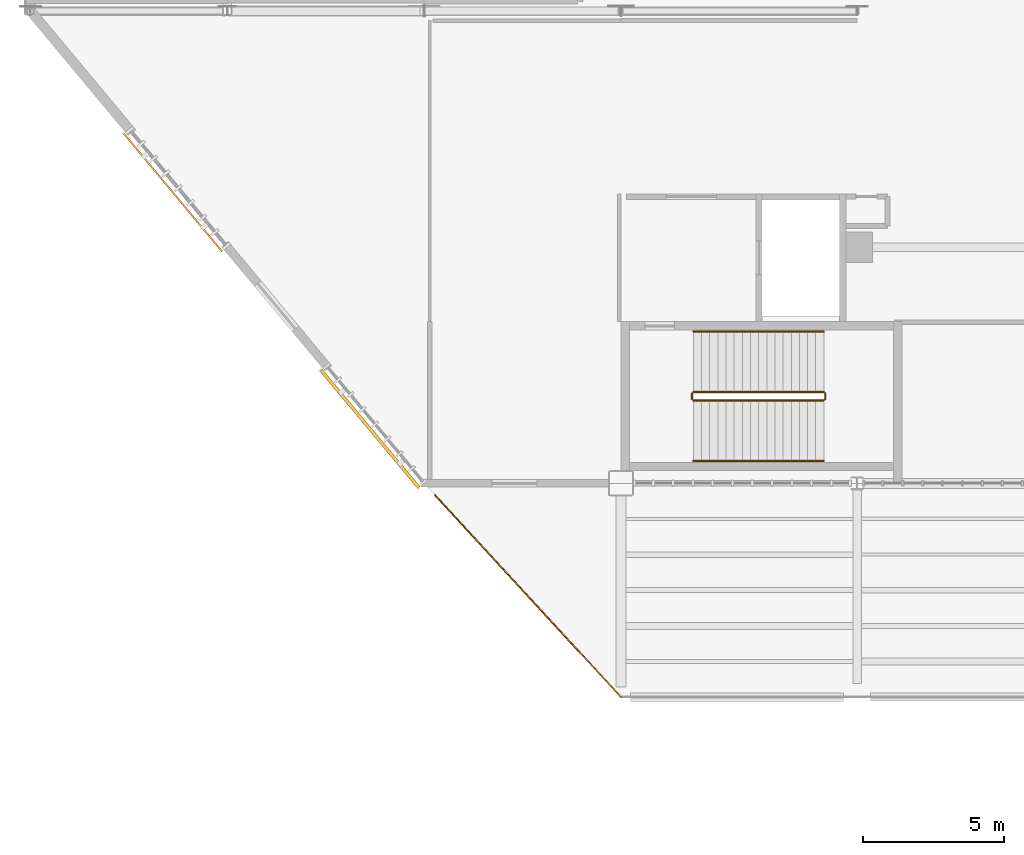
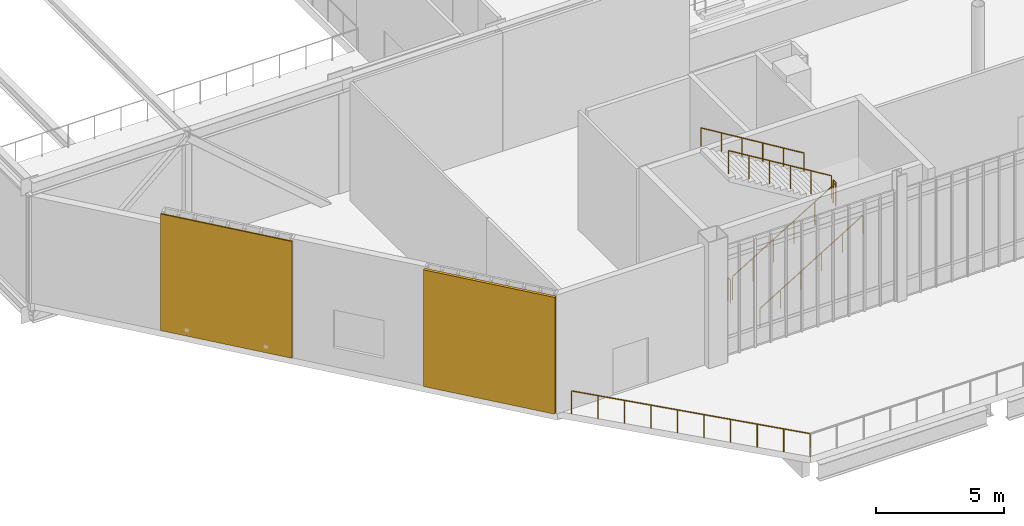
# One storey, part 121 of 135: 7 railings, 2 shading devices.
"""IFC4 building model written with IfcOpenShell, lengths in metres."""

from ifc_helpers import new_model, si_unit, direction, frame, origin, origin_2d, place, context, subcontext, project, spatial, rectangle, circle, extrude, material, layer, layer_set, type_object, element, save


model = new_model("IFC4")

# Units and contexts
model_context = context("Model", 3, precision=1e-05, world=origin(), true_north=direction((0.0, 1.0)))
body_context = subcontext(model_context, "Body", "Model", "MODEL_VIEW")
ifc_project = project(units=[si_unit("LENGTHUNIT", "METRE"), si_unit("AREAUNIT", "SQUARE_METRE"), si_unit("VOLUMEUNIT", "CUBIC_METRE"), si_unit("PLANEANGLEUNIT", "RADIAN"), si_unit("MASSUNIT", "GRAM", prefix="KILO")], contexts=[model_context])

# Site, building, storey
site_placement = place(None, origin())
site = spatial("IfcSite", under=ifc_project, at=site_placement, CompositionType="ELEMENT")
building_placement = place(site_placement, origin())
building = spatial("IfcBuilding", under=site, at=building_placement, Name="Larkvane Passage Sports Hall", CompositionType="ELEMENT")
storey_placement = place(building_placement, frame((0.0, 0.0, 10.800048828125)))
storey = spatial("IfcBuildingStorey", under=building, at=storey_placement, Name="L02", CompositionType="ELEMENT", Elevation=10.800048828125)

# Railings
ifc_material_1 = material(Name="Steel S355JR", Category="steel")
railing_type_1 = type_object("IfcRailingType", Name="RL-GUARD-1120", PredefinedType="GUARDRAIL", material=ifc_material_1)
railing_1_placement = place(storey_placement, frame((37.3798828125, 25.75, 0.176513671875)))
element("IfcRailing", 1, at=railing_1_placement, inside=storey, type_object=railing_type_1, Name="L02 ST-01 stair guard 1", PredefinedType="GUARDRAIL", context=body_context, shape_type="SweptSolid", body=[
    extrude(circle(Radius=0.02392578125, at=origin_2d()), frame((0.001708984375, 0.0, 1.09716796875), z_axis=(0.854275794217, 0.0, 0.51982003368), x_axis=(0.0, 1.0, 0.0)), (0.0, 0.0, 1.0), 5.427734375),
    extrude(circle(Radius=0.02099609375, at=origin_2d()), origin(), (0.0, 0.0, 1.0), 1.072021484375),
    extrude(circle(Radius=0.02099609375, at=origin_2d()), frame((0.927978515625, 0.0, 0.564697265625)), (0.0, 0.0, 1.0), 1.072021484375),
    extrude(circle(Radius=0.02099609375, at=origin_2d()), frame((1.85595703125, 0.0, 1.12939453125)), (0.0, 0.0, 1.0), 1.072021484375),
    extrude(circle(Radius=0.02099609375, at=origin_2d()), frame((2.7841796875, 0.0, 1.694091796875)), (0.0, 0.0, 1.0), 1.072021484375),
    extrude(circle(Radius=0.02099609375, at=origin_2d()), frame((3.712158203125, 0.0, 2.2587890625)), (0.0, 0.0, 1.0), 1.072021484375),
    extrude(circle(Radius=0.02099609375, at=origin_2d()), frame((4.64013671875, 0.0, 2.823486328125)), (0.0, 0.0, 1.0), 1.072021484375),
])
railing_2_placement = place(storey_placement, frame((42.070068359375, 25.800048828125, 3.0)))
element("IfcRailing", 2, at=railing_2_placement, inside=storey, type_object=railing_type_1, Name="L02 ST-01 stair guard 2", PredefinedType="GUARDRAIL", context=body_context, shape_type="SweptSolid", body=[
    extrude(circle(Radius=0.02392578125, at=origin_2d()), frame((0.0, 0.001953125, 1.09619140625), z_axis=(0.0, 1.0, 0.0), x_axis=(-1.0, 0.0, 0.0)), (0.0, 0.0, 1.0), 0.196044921875),
    extrude(circle(Radius=0.02099609375, at=origin_2d()), origin(), (0.0, 0.0, 1.0), 1.072021484375),
    extrude(circle(Radius=0.02099609375, at=origin_2d()), frame((0.0, 0.199951171875, 0.0)), (0.0, 0.0, 1.0), 1.072021484375),
])
railing_3_placement = place(storey_placement, frame((42.02001953125, 26.050048828125, 3.176513671875)))
element("IfcRailing", 3, at=railing_3_placement, inside=storey, type_object=railing_type_1, Name="L02 ST-01 stair guard 3", PredefinedType="GUARDRAIL", context=body_context, shape_type="SweptSolid", body=[
    extrude(circle(Radius=0.02392578125, at=origin_2d()), frame((-0.001708984375, 0.0, 1.09716796875), z_axis=(-0.854275794217, 0.0, 0.51982003368), x_axis=(0.0, -1.0, 0.0)), (0.0, 0.0, 1.0), 5.427734375),
    extrude(circle(Radius=0.02099609375, at=origin_2d()), origin(), (0.0, 0.0, 1.0), 1.072021484375),
    extrude(circle(Radius=0.02099609375, at=origin_2d()), frame((-0.927978515625, 0.0, 0.564697265625)), (0.0, 0.0, 1.0), 1.072021484375),
    extrude(circle(Radius=0.02099609375, at=origin_2d()), frame((-1.85595703125, 0.0, 1.12939453125)), (0.0, 0.0, 1.0), 1.072021484375),
    extrude(circle(Radius=0.02099609375, at=origin_2d()), frame((-2.7841796875, 0.0, 1.694091796875)), (0.0, 0.0, 1.0), 1.072021484375),
    extrude(circle(Radius=0.02099609375, at=origin_2d()), frame((-3.712158203125, 0.0, 2.2587890625)), (0.0, 0.0, 1.0), 1.072021484375),
    extrude(circle(Radius=0.02099609375, at=origin_2d()), frame((-4.64013671875, 0.0, 2.823486328125)), (0.0, 0.0, 1.0), 1.072021484375),
])
railing_4_placement = place(storey_placement, frame((37.330078125, 25.800048828125, 0.0)))
element("IfcRailing", 4, at=railing_4_placement, inside=storey, type_object=railing_type_1, Name="L02 ST-01 stair guard 4", PredefinedType="GUARDRAIL", context=body_context, shape_type="SweptSolid", body=[
    extrude(circle(Radius=0.02392578125, at=origin_2d()), frame((0.0, 0.001953125, 1.09619140625), z_axis=(0.0, 1.0, 0.0), x_axis=(-1.0, 0.0, 0.0)), (0.0, 0.0, 1.0), 0.196044921875),
    extrude(circle(Radius=0.02099609375, at=origin_2d()), origin(), (0.0, 0.0, 1.0), 1.072021484375),
    extrude(circle(Radius=0.02099609375, at=origin_2d()), frame((0.0, 0.199951171875, 0.0)), (0.0, 0.0, 1.0), 1.072021484375),
])
railing_5_placement = place(storey_placement, frame((28.18701171875, 22.3798828125, 0.0)))
element("IfcRailing", 5, at=railing_5_placement, inside=storey, type_object=railing_type_1, Name="Terrace perimeter guardrail L02-010", PredefinedType="GUARDRAIL", context=body_context, shape_type="SweptSolid", body=[
    extrude(circle(Radius=0.02392578125, at=origin_2d()), frame((0.00146484375, -0.00146484375, 1.09619140625), z_axis=(0.677472549891, -0.735548056992, 0.0), x_axis=(0.735548056992, 0.677472549891, 0.0)), (0.0, 0.0, 1.0), 9.75732421875),
    extrude(circle(Radius=0.02099609375, at=origin_2d()), origin(), (0.0, 0.0, 1.0), 1.072021484375),
    extrude(circle(Radius=0.02099609375, at=origin_2d()), frame((0.73486328125, -0.7978515625, 0.0)), (0.0, 0.0, 1.0), 1.072021484375),
    extrude(circle(Radius=0.02099609375, at=origin_2d()), frame((1.469482421875, -1.595458984375, 0.0)), (0.0, 0.0, 1.0), 1.072021484375),
    extrude(circle(Radius=0.02099609375, at=origin_2d()), frame((2.204345703125, -2.393310546875, 0.0)), (0.0, 0.0, 1.0), 1.072021484375),
    extrude(circle(Radius=0.02099609375, at=origin_2d()), frame((2.939208984375, -3.191162109375, 0.0)), (0.0, 0.0, 1.0), 1.072021484375),
    extrude(circle(Radius=0.02099609375, at=origin_2d()), frame((3.673828125, -3.98876953125, 0.0)), (0.0, 0.0, 1.0), 1.072021484375),
    extrude(circle(Radius=0.02099609375, at=origin_2d()), frame((4.40869140625, -4.78662109375, 0.0)), (0.0, 0.0, 1.0), 1.072021484375),
    extrude(circle(Radius=0.02099609375, at=origin_2d()), frame((5.1435546875, -5.58447265625, 0.0)), (0.0, 0.0, 1.0), 1.072021484375),
    extrude(circle(Radius=0.02099609375, at=origin_2d()), frame((5.878173828125, -6.382080078125, 0.0)), (0.0, 0.0, 1.0), 1.072021484375),
    extrude(circle(Radius=0.02099609375, at=origin_2d()), frame((6.613037109375, -7.179931640625, 0.0)), (0.0, 0.0, 1.0), 1.072021484375),
])
ifc_material_2 = material(Name="Stainless steel S355JR", Category="steel")
railing_type_2 = type_object("IfcRailingType", Name="RL-HAND-920", PredefinedType="HANDRAIL", material=ifc_material_2)
railing_6_placement = place(storey_placement, frame((37.3798828125, 23.60009765625, 0.176513671875)))
element("IfcRailing", 6, at=railing_6_placement, inside=storey, type_object=railing_type_2, Name="L02 ST-01 stair handrail 1", PredefinedType="HANDRAIL", context=body_context, shape_type="SweptSolid", body=[
    extrude(circle(Radius=0.02392578125, at=origin_2d()), frame((0.001708984375, 0.0, 0.876953125), z_axis=(0.854275794217, 0.0, 0.51982003368), x_axis=(0.0, 1.0, 0.0)), (0.0, 0.0, 1.0), 5.427734375),
    extrude(circle(Radius=0.02099609375, at=origin_2d()), origin(), (0.0, 0.0, 1.0), 0.851806640625),
    extrude(circle(Radius=0.02099609375, at=origin_2d()), frame((0.927978515625, 0.0, 0.564697265625)), (0.0, 0.0, 1.0), 0.851806640625),
    extrude(circle(Radius=0.02099609375, at=origin_2d()), frame((1.85595703125, 0.0, 1.12939453125)), (0.0, 0.0, 1.0), 0.851806640625),
    extrude(circle(Radius=0.02099609375, at=origin_2d()), frame((2.7841796875, 0.0, 1.694091796875)), (0.0, 0.0, 1.0), 0.851806640625),
    extrude(circle(Radius=0.02099609375, at=origin_2d()), frame((3.712158203125, 0.0, 2.2587890625)), (0.0, 0.0, 1.0), 0.851806640625),
    extrude(circle(Radius=0.02099609375, at=origin_2d()), frame((4.64013671875, 0.0, 2.823486328125)), (0.0, 0.0, 1.0), 0.851806640625),
])
railing_7_placement = place(storey_placement, frame((42.02001953125, 28.199951171875, 3.176513671875)))
element("IfcRailing", 7, at=railing_7_placement, inside=storey, type_object=railing_type_2, Name="L02 ST-01 stair handrail 2", PredefinedType="HANDRAIL", context=body_context, shape_type="SweptSolid", body=[
    extrude(circle(Radius=0.02392578125, at=origin_2d()), frame((-0.001708984375, 0.0, 0.876953125), z_axis=(-0.854275794217, 0.0, 0.51982003368), x_axis=(0.0, -1.0, 0.0)), (0.0, 0.0, 1.0), 5.427734375),
    extrude(circle(Radius=0.02099609375, at=origin_2d()), origin(), (0.0, 0.0, 1.0), 0.851806640625),
    extrude(circle(Radius=0.02099609375, at=origin_2d()), frame((-0.927978515625, 0.0, 0.564697265625)), (0.0, 0.0, 1.0), 0.851806640625),
    extrude(circle(Radius=0.02099609375, at=origin_2d()), frame((-1.85595703125, 0.0, 1.12939453125)), (0.0, 0.0, 1.0), 0.851806640625),
    extrude(circle(Radius=0.02099609375, at=origin_2d()), frame((-2.7841796875, 0.0, 1.694091796875)), (0.0, 0.0, 1.0), 0.851806640625),
    extrude(circle(Radius=0.02099609375, at=origin_2d()), frame((-3.712158203125, 0.0, 2.2587890625)), (0.0, 0.0, 1.0), 0.851806640625),
    extrude(circle(Radius=0.02099609375, at=origin_2d()), frame((-4.64013671875, 0.0, 2.823486328125)), (0.0, 0.0, 1.0), 0.851806640625),
])

# Shading devices
ifc_material_3 = material(Name="Extruded aluminium 6063-T6", Category="aluminium")
ifc_layer_1 = layer(ifc_material_3, 0.1201171875)
ifc_layer_set_1 = layer_set([ifc_layer_1], Name="Extruded aluminium 6063-T6")
shading_device_type_1 = type_object("IfcShadingDeviceType", Name="SHD-LOUVRE-STORM", PredefinedType="JALOUSIE", material=ifc_layer_set_1)
shading_device_1_placement = place(storey_placement, frame((25.86572265625, 24.746337890625, 0.059814453125), z_axis=(0.0, 0.0, 1.0), x_axis=(-0.640184399661, 0.7682212796, 0.0)))
element("IfcShadingDevice", 8, at=shading_device_1_placement, inside=storey, type_object=shading_device_type_1, Name="Solar veil screen L02-060", PredefinedType="JALOUSIE", context=body_context, shape_type="SweptSolid", body=[
    extrude(rectangle(XDim=5.46728515625, YDim=0.1201171875, at=origin_2d()), origin(), (0.0, 0.0, 1.0), 5.56005859375),
])
ifc_material_4 = material(Name="Perforated anodised aluminium 5052-H32", Category="aluminium")
ifc_layer_2 = layer(ifc_material_4, 0.06005859375)
ifc_layer_set_2 = layer_set([ifc_layer_2], Name="Perforated anodised aluminium 5052-H32")
shading_device_type_2 = type_object("IfcShadingDeviceType", Name="SHD-VEIL-PERF", PredefinedType="SHUTTER", material=ifc_layer_set_2)
shading_device_2_placement = place(storey_placement, frame((18.86572265625, 33.146240234375, 0.059814453125), z_axis=(0.0, 0.0, 1.0), x_axis=(-0.640184399661, 0.7682212796, 0.0)))
element("IfcShadingDevice", 9, at=shading_device_2_placement, inside=storey, type_object=shading_device_type_2, Name="Solar veil screen L02-061", PredefinedType="SHUTTER", context=body_context, shape_type="SweptSolid", body=[
    extrude(rectangle(XDim=5.46728515625, YDim=0.06005859375, at=origin_2d()), origin(), (0.0, 0.0, 1.0), 5.56005859375),
])

save(model, "model.ifc")
